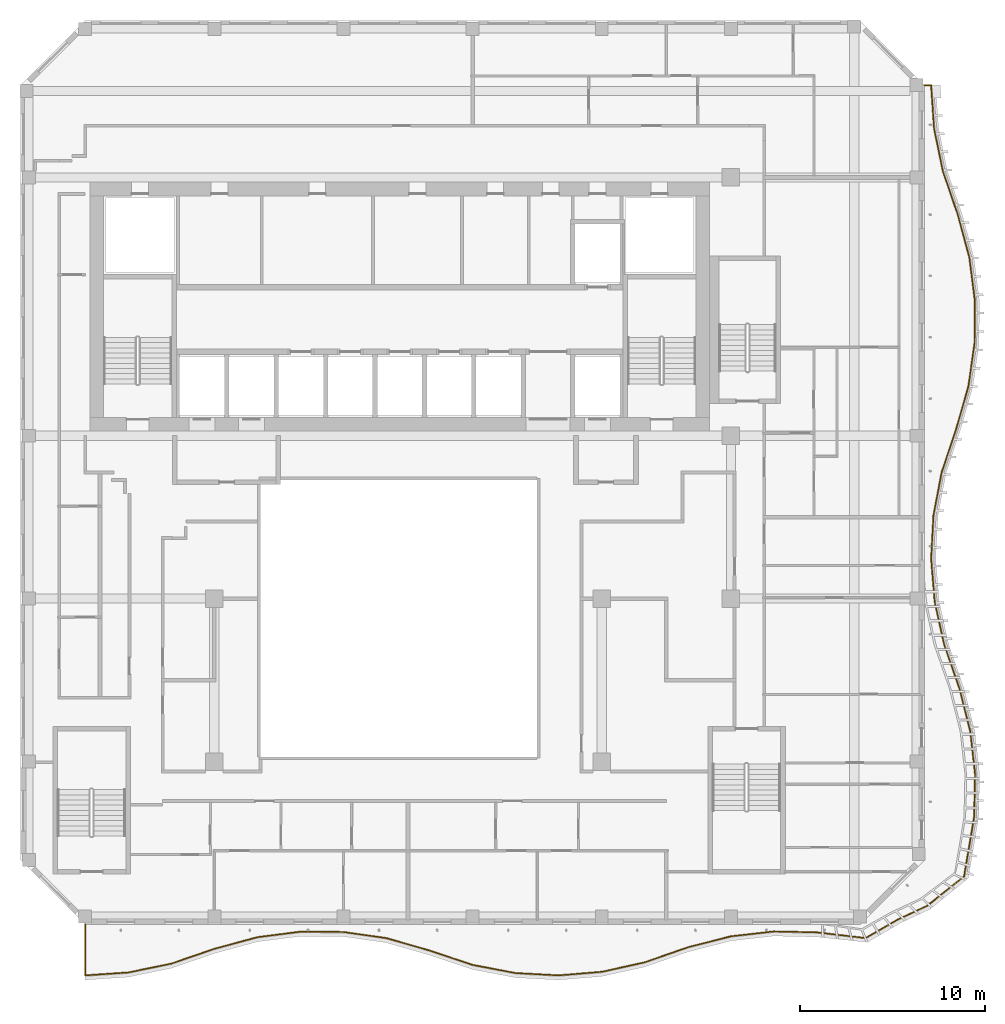
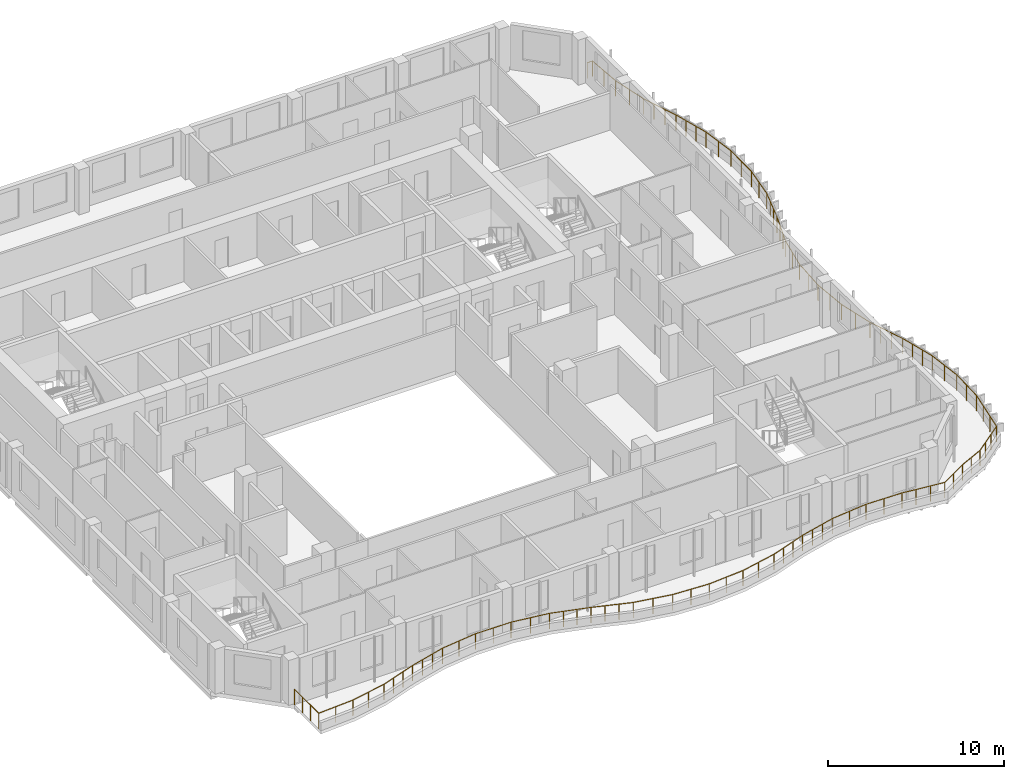
# One storey, part 15 of 19: 1 railing.
"""IFC4 building model written with IfcOpenShell, lengths in metres."""

from ifc_helpers import new_model, si_unit, direction, frame, origin, origin_2d, place, context, subcontext, project, spatial, circle, extrude, material, type_object, element, save


model = new_model("IFC4")

# Units and contexts
model_context = context("Model", 3, precision=1e-05, world=origin(), true_north=direction((0.0, 1.0)))
body_context = subcontext(model_context, "Body", "Model", "MODEL_VIEW")
ifc_project = project(units=[si_unit("LENGTHUNIT", "METRE"), si_unit("AREAUNIT", "SQUARE_METRE"), si_unit("VOLUMEUNIT", "CUBIC_METRE"), si_unit("PLANEANGLEUNIT", "RADIAN"), si_unit("MASSUNIT", "GRAM", prefix="KILO")], contexts=[model_context])

# Site, building, storey
site_placement = place(None, origin())
site = spatial("IfcSite", under=ifc_project, at=site_placement, CompositionType="ELEMENT")
building_placement = place(site_placement, origin())
building = spatial("IfcBuilding", under=site, at=building_placement, Name="Kilnfold Tower and Market Hall", CompositionType="ELEMENT")
storey_placement = place(building_placement, frame((0.0, 0.0, 252.60009765625)))
storey = spatial("IfcBuildingStorey", under=building, at=storey_placement, Name="L61", CompositionType="ELEMENT", Elevation=252.60009765625)

# Railing
ifc_material = material(Name="Stainless steel and laminated glass", Category="steel")
railing_type = type_object("IfcRailingType", Name="GUARD 1100", PredefinedType="GUARDRAIL", material=ifc_material)
railing_placement = place(storey_placement, frame((-16.0, -18.5, 0.0)))
element("IfcRailing", 1, at=railing_placement, inside=storey, type_object=railing_type, Name="Guard balcony L61", PredefinedType="GUARDRAIL", context=body_context, shape_type="SweptSolid", body=[
    extrude(circle(Radius=0.02490234375, at=origin_2d()), frame((0.0, 0.0, 1.0751953125), z_axis=(0.0, -1.0, 0.0), x_axis=(1.0, 0.0, 0.0)), (0.0, 0.0, 1.0), 2.75),
    extrude(circle(Radius=0.02490234375, at=origin_2d()), frame((0.0, -2.75, 1.0751953125), z_axis=(0.997744320473, 0.067128764054, 0.0), x_axis=(-0.067128764054, 0.997744320473, 0.0)), (0.0, 0.0, 1.0), 2.338623046875),
    extrude(circle(Radius=0.02490234375, at=origin_2d()), frame((2.333251953125, -2.593017578125, 1.0751953125), z_axis=(0.979514155194, 0.201375320669, 0.0), x_axis=(-0.201375320669, 0.979514155194, 0.0)), (0.0, 0.0, 1.0), 2.38232421875),
    extrude(circle(Radius=0.02490234375, at=origin_2d()), frame((4.666748046875, -2.11328125, 1.0751953125), z_axis=(0.945693253584, 0.325060409964, 0.0), x_axis=(-0.325060409964, 0.945693253584, 0.0)), (0.0, 0.0, 1.0), 2.46728515625),
    extrude(circle(Radius=0.02490234375, at=origin_2d()), frame((7.0, -1.311279296875, 1.0751953125), z_axis=(0.965260874363, 0.261288048758, 0.0), x_axis=(-0.261288048758, 0.965260874363, 0.0)), (0.0, 0.0, 1.0), 2.417236328125),
    extrude(circle(Radius=0.02490234375, at=origin_2d()), frame((9.333251953125, -0.6796875, 1.0751953125), z_axis=(0.991912848842, 0.126920842659, 0.0), x_axis=(-0.126920842659, 0.991912848842, 0.0)), (0.0, 0.0, 1.0), 2.3525390625),
    extrude(circle(Radius=0.02490234375, at=origin_2d()), frame((11.666748046875, -0.381103515625, 1.0751953125), z_axis=(0.999973937982, -0.007219650698, 0.0), x_axis=(0.007219650698, 0.999973937982, 0.0)), (0.0, 0.0, 1.0), 2.333251953125),
    extrude(circle(Radius=0.02490234375, at=origin_2d()), frame((14.0, -0.39794921875, 1.0751953125), z_axis=(0.989924618901, -0.141595370308, 0.0), x_axis=(0.141595370308, 0.989924618901, 0.0)), (0.0, 0.0, 1.0), 2.35693359375),
    extrude(circle(Radius=0.02490234375, at=origin_2d()), frame((16.333251953125, -0.731689453125, 1.0751953125), z_axis=(0.961227378487, -0.275757006886, 0.0), x_axis=(0.275757006886, 0.961227378487, 0.0)), (0.0, 0.0, 1.0), 2.427734375),
    extrude(circle(Radius=0.02490234375, at=origin_2d()), frame((18.666748046875, -1.401123046875, 1.0751953125), z_axis=(0.948375225103, -0.317150488587, 0.0), x_axis=(0.317150488587, 0.948375225103, 0.0)), (0.0, 0.0, 1.0), 2.460205078125),
    extrude(circle(Radius=0.02490234375, at=origin_2d()), frame((21.0, -2.181396484375, 1.0751953125), z_axis=(0.982383523607, -0.186875928212, 0.0), x_axis=(0.186875928212, 0.982383523607, 0.0)), (0.0, 0.0, 1.0), 2.375),
    extrude(circle(Radius=0.02490234375, at=origin_2d()), frame((23.333251953125, -2.625244140625, 1.0751953125), z_axis=(0.998612629354, -0.052657539778, 0.0), x_axis=(0.052657539778, 0.998612629354, 0.0)), (0.0, 0.0, 1.0), 2.336669921875),
    extrude(circle(Radius=0.02490234375, at=origin_2d()), frame((25.666748046875, -2.748291015625, 1.0751953125), z_axis=(0.996652090419, 0.081759468336, 0.0), x_axis=(-0.081759468336, 0.996652090419, 0.0)), (0.0, 0.0, 1.0), 2.341064453125),
    extrude(circle(Radius=0.02490234375, at=origin_2d()), frame((28.0, -2.556884765625, 1.0751953125), z_axis=(0.976419679672, 0.215881006921, 0.0), x_axis=(-0.215881006921, 0.976419679672, 0.0)), (0.0, 0.0, 1.0), 2.3896484375),
    extrude(circle(Radius=0.02490234375, at=origin_2d()), frame((30.333251953125, -2.041015625, 1.0751953125), z_axis=(0.944082964378, 0.329707986513, 0.0), x_axis=(-0.329707986513, 0.944082964378, 0.0)), (0.0, 0.0, 1.0), 2.4716796875),
    extrude(circle(Radius=0.02490234375, at=origin_2d()), frame((32.666748046875, -1.22607421875, 1.0751953125), z_axis=(0.969065433621, 0.246803941136, 0.0), x_axis=(-0.246803941136, 0.969065433621, 0.0)), (0.0, 0.0, 1.0), 2.40771484375),
    extrude(circle(Radius=0.02490234375, at=origin_2d()), frame((35.0, -0.6318359375, 1.0751953125), z_axis=(0.9936637082, 0.112394105741, 0.0), x_axis=(-0.112394105741, 0.9936637082, 0.0)), (0.0, 0.0, 1.0), 2.34814453125),
    extrude(circle(Radius=0.02490234375, at=origin_2d()), frame((37.333251953125, -0.367919921875, 1.0751953125), z_axis=(0.999763294472, -0.021756723713, 0.0), x_axis=(0.021756723713, 0.999763294472, 0.0)), (0.0, 0.0, 1.0), 2.333984375),
    extrude(circle(Radius=0.02490234375, at=origin_2d()), frame((39.666748046875, -0.418701171875, 1.0751953125), z_axis=(0.993209534194, -0.116339250414, 0.0), x_axis=(0.116339250414, 0.993209534194, 0.0)), (0.0, 0.0, 1.0), 2.652587890625),
    extrude(circle(Radius=0.02490234375, at=origin_2d()), frame((42.30126953125, -0.727294921875, 1.0751953125), z_axis=(0.866123210065, 0.499830556276, 0.0), x_axis=(-0.499830556276, 0.866123210065, 0.0)), (0.0, 0.0, 1.0), 2.020263671875),
    extrude(circle(Radius=0.02490234375, at=origin_2d()), frame((44.051025390625, 0.282470703125, 1.0751953125), z_axis=(0.905937791397, 0.423410814834, 0.0), x_axis=(-0.423410814834, 0.905937791397, 0.0)), (0.0, 0.0, 1.0), 1.755126953125),
    extrude(circle(Radius=0.02490234375, at=origin_2d()), frame((45.64111328125, 1.025634765625, 1.0751953125), z_axis=(0.782230054052, 0.622989680924, 0.0), x_axis=(-0.622989680924, 0.782230054052, 0.0)), (0.0, 0.0, 1.0), 2.55126953125),
    extrude(circle(Radius=0.02490234375, at=origin_2d()), frame((47.63671875, 2.614990234375, 1.0751953125), z_axis=(0.166872846644, 0.985978424233, 0.0), x_axis=(-0.985978424233, 0.166872846644, 0.0)), (0.0, 0.0, 1.0), 3.263916015625),
    extrude(circle(Radius=0.02490234375, at=origin_2d()), frame((48.181396484375, 5.833251953125, 1.0751953125), z_axis=(0.021756723713, 0.999763294472, 0.0), x_axis=(-0.999763294472, 0.021756723713, 0.0)), (0.0, 0.0, 1.0), 2.333984375),
    extrude(circle(Radius=0.02490234375, at=origin_2d()), frame((48.232177734375, 8.166748046875, 1.0751953125), z_axis=(-0.112496762863, 0.9936520912, 0.0), x_axis=(-0.9936520912, -0.112496762863, 0.0)), (0.0, 0.0, 1.0), 2.34814453125),
    extrude(circle(Radius=0.02490234375, at=origin_2d()), frame((47.968017578125, 10.5, 1.0751953125), z_axis=(-0.246708715469, 0.969089680944, 0.0), x_axis=(-0.969089680944, -0.246708715469, 0.0)), (0.0, 0.0, 1.0), 2.40771484375),
    extrude(circle(Radius=0.02490234375, at=origin_2d()), frame((47.3740234375, 12.833251953125, 1.0751953125), z_axis=(-0.329707986513, 0.944082964378, 0.0), x_axis=(-0.944082964378, -0.329707986513, 0.0)), (0.0, 0.0, 1.0), 2.4716796875),
    extrude(circle(Radius=0.02490234375, at=origin_2d()), frame((46.55908203125, 15.166748046875, 1.0751953125), z_axis=(-0.215978410209, 0.976398139246, 0.0), x_axis=(-0.976398139246, -0.215978410209, 0.0)), (0.0, 0.0, 1.0), 2.3896484375),
    extrude(circle(Radius=0.02490234375, at=origin_2d()), frame((46.04296875, 17.5, 1.0751953125), z_axis=(-0.081655879081, 0.996660582852, 0.0), x_axis=(-0.996660582852, -0.081655879081, 0.0)), (0.0, 0.0, 1.0), 2.341064453125),
    extrude(circle(Radius=0.02490234375, at=origin_2d()), frame((45.851806640625, 19.833251953125, 1.0751953125), z_axis=(0.052553349375, 0.998618117936, 0.0), x_axis=(-0.998618117936, 0.052553349375, 0.0)), (0.0, 0.0, 1.0), 2.336669921875),
    extrude(circle(Radius=0.02490234375, at=origin_2d()), frame((45.974609375, 22.166748046875, 1.0751953125), z_axis=(0.186975127626, 0.982364648005, 0.0), x_axis=(-0.982364648005, 0.186975127626, 0.0)), (0.0, 0.0, 1.0), 2.375244140625),
    extrude(circle(Radius=0.02490234375, at=origin_2d()), frame((46.418701171875, 24.5, 1.0751953125), z_axis=(0.317150488587, 0.948375225103, 0.0), x_axis=(-0.948375225103, 0.317150488587, 0.0)), (0.0, 0.0, 1.0), 2.460205078125),
    extrude(circle(Radius=0.02490234375, at=origin_2d()), frame((47.198974609375, 26.833251953125, 1.0751953125), z_axis=(0.275757006886, 0.961227378487, 0.0), x_axis=(-0.961227378487, 0.275757006886, 0.0)), (0.0, 0.0, 1.0), 2.427734375),
    extrude(circle(Radius=0.02490234375, at=origin_2d()), frame((47.868408203125, 29.166748046875, 1.0751953125), z_axis=(0.141493863694, 0.989939132743, 0.0), x_axis=(-0.989939132743, 0.141493863694, 0.0)), (0.0, 0.0, 1.0), 2.35693359375),
    extrude(circle(Radius=0.02490234375, at=origin_2d()), frame((48.201904296875, 31.5, 1.0751953125), z_axis=(0.007324277744, 0.999973177118, 0.0), x_axis=(-0.999973177118, 0.007324277744, 0.0)), (0.0, 0.0, 1.0), 2.333251953125),
    extrude(circle(Radius=0.02490234375, at=origin_2d()), frame((48.218994140625, 33.833251953125, 1.0751953125), z_axis=(-0.127022947172, 0.991899778653, 0.0), x_axis=(-0.991899778653, -0.127022947172, 0.0)), (0.0, 0.0, 1.0), 2.3525390625),
    extrude(circle(Radius=0.02490234375, at=origin_2d()), frame((47.920166015625, 36.166748046875, 1.0751953125), z_axis=(-0.261288048758, 0.965260874363, 0.0), x_axis=(-0.965260874363, -0.261288048758, 0.0)), (0.0, 0.0, 1.0), 2.417236328125),
    extrude(circle(Radius=0.02490234375, at=origin_2d()), frame((47.28857421875, 38.5, 1.0751953125), z_axis=(-0.324971908544, 0.945723669291, 0.0), x_axis=(-0.945723669291, -0.324971908544, 0.0)), (0.0, 0.0, 1.0), 2.467041015625),
    extrude(circle(Radius=0.02490234375, at=origin_2d()), frame((46.48681640625, 40.833251953125, 1.0751953125), z_axis=(-0.201375320669, 0.979514155194, 0.0), x_axis=(-0.979514155194, -0.201375320669, 0.0)), (0.0, 0.0, 1.0), 2.38232421875),
    extrude(circle(Radius=0.02490234375, at=origin_2d()), frame((46.007080078125, 43.166748046875, 1.0751953125), z_axis=(-0.067128764054, 0.997744320473, 0.0), x_axis=(-0.997744320473, -0.067128764054, 0.0)), (0.0, 0.0, 1.0), 2.338623046875),
    extrude(circle(Radius=0.02490234375, at=origin_2d()), frame((45.85009765625, 45.5, 1.0751953125), z_axis=(-1.0, 0.0, 0.0), x_axis=(0.0, -1.0, 0.0)), (0.0, 0.0, 1.0), 0.35009765625),
    extrude(circle(Radius=0.02490234375, at=origin_2d()), origin(), (0.0, 0.0, 1.0), 1.050048828125),
    extrude(circle(Radius=0.02490234375, at=origin_2d()), frame((0.0, -0.916748046875, 0.0)), (0.0, 0.0, 1.0), 1.050048828125),
    extrude(circle(Radius=0.02490234375, at=origin_2d()), frame((0.0, -1.833251953125, 0.0)), (0.0, 0.0, 1.0), 1.050048828125),
    extrude(circle(Radius=0.02490234375, at=origin_2d()), frame((0.0, -2.75, 0.0)), (0.0, 0.0, 1.0), 1.050048828125),
    extrude(circle(Radius=0.02490234375, at=origin_2d()), frame((1.16650390625, -2.67138671875, 0.0)), (0.0, 0.0, 1.0), 1.050048828125),
    extrude(circle(Radius=0.02490234375, at=origin_2d()), frame((2.333251953125, -2.593017578125, 0.0)), (0.0, 0.0, 1.0), 1.050048828125),
    extrude(circle(Radius=0.02490234375, at=origin_2d()), frame((3.5, -2.35302734375, 0.0)), (0.0, 0.0, 1.0), 1.050048828125),
    extrude(circle(Radius=0.02490234375, at=origin_2d()), frame((4.666748046875, -2.11328125, 0.0)), (0.0, 0.0, 1.0), 1.050048828125),
    extrude(circle(Radius=0.02490234375, at=origin_2d()), frame((5.444580078125, -1.845947265625, 0.0)), (0.0, 0.0, 1.0), 1.050048828125),
    extrude(circle(Radius=0.02490234375, at=origin_2d()), frame((6.22216796875, -1.57861328125, 0.0)), (0.0, 0.0, 1.0), 1.050048828125),
    extrude(circle(Radius=0.02490234375, at=origin_2d()), frame((7.0, -1.311279296875, 0.0)), (0.0, 0.0, 1.0), 1.050048828125),
    extrude(circle(Radius=0.02490234375, at=origin_2d()), frame((7.77783203125, -1.100830078125, 0.0)), (0.0, 0.0, 1.0), 1.050048828125),
    extrude(circle(Radius=0.02490234375, at=origin_2d()), frame((8.555419921875, -0.89013671875, 0.0)), (0.0, 0.0, 1.0), 1.050048828125),
    extrude(circle(Radius=0.02490234375, at=origin_2d()), frame((9.333251953125, -0.6796875, 0.0)), (0.0, 0.0, 1.0), 1.050048828125),
    extrude(circle(Radius=0.02490234375, at=origin_2d()), frame((10.5, -0.5302734375, 0.0)), (0.0, 0.0, 1.0), 1.050048828125),
    extrude(circle(Radius=0.02490234375, at=origin_2d()), frame((11.666748046875, -0.381103515625, 0.0)), (0.0, 0.0, 1.0), 1.050048828125),
    extrude(circle(Radius=0.02490234375, at=origin_2d()), frame((12.83349609375, -0.3896484375, 0.0)), (0.0, 0.0, 1.0), 1.050048828125),
    extrude(circle(Radius=0.02490234375, at=origin_2d()), frame((14.0, -0.39794921875, 0.0)), (0.0, 0.0, 1.0), 1.050048828125),
    extrude(circle(Radius=0.02490234375, at=origin_2d()), frame((15.16650390625, -0.56494140625, 0.0)), (0.0, 0.0, 1.0), 1.050048828125),
    extrude(circle(Radius=0.02490234375, at=origin_2d()), frame((16.333251953125, -0.731689453125, 0.0)), (0.0, 0.0, 1.0), 1.050048828125),
    extrude(circle(Radius=0.02490234375, at=origin_2d()), frame((17.111083984375, -0.954833984375, 0.0)), (0.0, 0.0, 1.0), 1.050048828125),
    extrude(circle(Radius=0.02490234375, at=origin_2d()), frame((17.888916015625, -1.177978515625, 0.0)), (0.0, 0.0, 1.0), 1.050048828125),
    extrude(circle(Radius=0.02490234375, at=origin_2d()), frame((18.666748046875, -1.401123046875, 0.0)), (0.0, 0.0, 1.0), 1.050048828125),
    extrude(circle(Radius=0.02490234375, at=origin_2d()), frame((19.444580078125, -1.6611328125, 0.0)), (0.0, 0.0, 1.0), 1.050048828125),
    extrude(circle(Radius=0.02490234375, at=origin_2d()), frame((20.22216796875, -1.92138671875, 0.0)), (0.0, 0.0, 1.0), 1.050048828125),
    extrude(circle(Radius=0.02490234375, at=origin_2d()), frame((21.0, -2.181396484375, 0.0)), (0.0, 0.0, 1.0), 1.050048828125),
    extrude(circle(Radius=0.02490234375, at=origin_2d()), frame((22.16650390625, -2.4033203125, 0.0)), (0.0, 0.0, 1.0), 1.050048828125),
    extrude(circle(Radius=0.02490234375, at=origin_2d()), frame((23.333251953125, -2.625244140625, 0.0)), (0.0, 0.0, 1.0), 1.050048828125),
    extrude(circle(Radius=0.02490234375, at=origin_2d()), frame((24.5, -2.686767578125, 0.0)), (0.0, 0.0, 1.0), 1.050048828125),
    extrude(circle(Radius=0.02490234375, at=origin_2d()), frame((25.666748046875, -2.748291015625, 0.0)), (0.0, 0.0, 1.0), 1.050048828125),
    extrude(circle(Radius=0.02490234375, at=origin_2d()), frame((26.83349609375, -2.652587890625, 0.0)), (0.0, 0.0, 1.0), 1.050048828125),
    extrude(circle(Radius=0.02490234375, at=origin_2d()), frame((28.0, -2.556884765625, 0.0)), (0.0, 0.0, 1.0), 1.050048828125),
    extrude(circle(Radius=0.02490234375, at=origin_2d()), frame((29.16650390625, -2.298828125, 0.0)), (0.0, 0.0, 1.0), 1.050048828125),
    extrude(circle(Radius=0.02490234375, at=origin_2d()), frame((30.333251953125, -2.041015625, 0.0)), (0.0, 0.0, 1.0), 1.050048828125),
    extrude(circle(Radius=0.02490234375, at=origin_2d()), frame((31.111083984375, -1.769287109375, 0.0)), (0.0, 0.0, 1.0), 1.050048828125),
    extrude(circle(Radius=0.02490234375, at=origin_2d()), frame((31.888916015625, -1.497802734375, 0.0)), (0.0, 0.0, 1.0), 1.050048828125),
    extrude(circle(Radius=0.02490234375, at=origin_2d()), frame((32.666748046875, -1.22607421875, 0.0)), (0.0, 0.0, 1.0), 1.050048828125),
    extrude(circle(Radius=0.02490234375, at=origin_2d()), frame((33.444580078125, -1.028076171875, 0.0)), (0.0, 0.0, 1.0), 1.050048828125),
    extrude(circle(Radius=0.02490234375, at=origin_2d()), frame((34.22216796875, -0.829833984375, 0.0)), (0.0, 0.0, 1.0), 1.050048828125),
    extrude(circle(Radius=0.02490234375, at=origin_2d()), frame((35.0, -0.6318359375, 0.0)), (0.0, 0.0, 1.0), 1.050048828125),
    extrude(circle(Radius=0.02490234375, at=origin_2d()), frame((36.16650390625, -0.5, 0.0)), (0.0, 0.0, 1.0), 1.050048828125),
    extrude(circle(Radius=0.02490234375, at=origin_2d()), frame((37.333251953125, -0.367919921875, 0.0)), (0.0, 0.0, 1.0), 1.050048828125),
    extrude(circle(Radius=0.02490234375, at=origin_2d()), frame((38.5, -0.393310546875, 0.0)), (0.0, 0.0, 1.0), 1.050048828125),
    extrude(circle(Radius=0.02490234375, at=origin_2d()), frame((39.666748046875, -0.418701171875, 0.0)), (0.0, 0.0, 1.0), 1.050048828125),
    extrude(circle(Radius=0.02490234375, at=origin_2d()), frame((40.544921875, -0.521484375, 0.0)), (0.0, 0.0, 1.0), 1.050048828125),
    extrude(circle(Radius=0.02490234375, at=origin_2d()), frame((41.423095703125, -0.62451171875, 0.0)), (0.0, 0.0, 1.0), 1.050048828125),
    extrude(circle(Radius=0.02490234375, at=origin_2d()), frame((42.30126953125, -0.727294921875, 0.0)), (0.0, 0.0, 1.0), 1.050048828125),
    extrude(circle(Radius=0.02490234375, at=origin_2d()), frame((43.17626953125, -0.222412109375, 0.0)), (0.0, 0.0, 1.0), 1.050048828125),
    extrude(circle(Radius=0.02490234375, at=origin_2d()), frame((44.051025390625, 0.282470703125, 0.0)), (0.0, 0.0, 1.0), 1.050048828125),
    extrude(circle(Radius=0.02490234375, at=origin_2d()), frame((44.84619140625, 0.654052734375, 0.0)), (0.0, 0.0, 1.0), 1.050048828125),
    extrude(circle(Radius=0.02490234375, at=origin_2d()), frame((45.64111328125, 1.025634765625, 0.0)), (0.0, 0.0, 1.0), 1.050048828125),
    extrude(circle(Radius=0.02490234375, at=origin_2d()), frame((46.306396484375, 1.555419921875, 0.0)), (0.0, 0.0, 1.0), 1.050048828125),
    extrude(circle(Radius=0.02490234375, at=origin_2d()), frame((46.971435546875, 2.085205078125, 0.0)), (0.0, 0.0, 1.0), 1.050048828125),
    extrude(circle(Radius=0.02490234375, at=origin_2d()), frame((47.63671875, 2.614990234375, 0.0)), (0.0, 0.0, 1.0), 1.050048828125),
    extrude(circle(Radius=0.02490234375, at=origin_2d()), frame((47.818359375, 3.687744140625, 0.0)), (0.0, 0.0, 1.0), 1.050048828125),
    extrude(circle(Radius=0.02490234375, at=origin_2d()), frame((47.999755859375, 4.760498046875, 0.0)), (0.0, 0.0, 1.0), 1.050048828125),
    extrude(circle(Radius=0.02490234375, at=origin_2d()), frame((48.181396484375, 5.833251953125, 0.0)), (0.0, 0.0, 1.0), 1.050048828125),
    extrude(circle(Radius=0.02490234375, at=origin_2d()), frame((48.206787109375, 7.0, 0.0)), (0.0, 0.0, 1.0), 1.050048828125),
    extrude(circle(Radius=0.02490234375, at=origin_2d()), frame((48.232177734375, 8.166748046875, 0.0)), (0.0, 0.0, 1.0), 1.050048828125),
    extrude(circle(Radius=0.02490234375, at=origin_2d()), frame((48.10009765625, 9.33349609375, 0.0)), (0.0, 0.0, 1.0), 1.050048828125),
    extrude(circle(Radius=0.02490234375, at=origin_2d()), frame((47.968017578125, 10.5, 0.0)), (0.0, 0.0, 1.0), 1.050048828125),
    extrude(circle(Radius=0.02490234375, at=origin_2d()), frame((47.77001953125, 11.27783203125, 0.0)), (0.0, 0.0, 1.0), 1.050048828125),
    extrude(circle(Radius=0.02490234375, at=origin_2d()), frame((47.572021484375, 12.055419921875, 0.0)), (0.0, 0.0, 1.0), 1.050048828125),
    extrude(circle(Radius=0.02490234375, at=origin_2d()), frame((47.3740234375, 12.833251953125, 0.0)), (0.0, 0.0, 1.0), 1.050048828125),
    extrude(circle(Radius=0.02490234375, at=origin_2d()), frame((47.102294921875, 13.611083984375, 0.0)), (0.0, 0.0, 1.0), 1.050048828125),
    extrude(circle(Radius=0.02490234375, at=origin_2d()), frame((46.830810546875, 14.388916015625, 0.0)), (0.0, 0.0, 1.0), 1.050048828125),
    extrude(circle(Radius=0.02490234375, at=origin_2d()), frame((46.55908203125, 15.166748046875, 0.0)), (0.0, 0.0, 1.0), 1.050048828125),
    extrude(circle(Radius=0.02490234375, at=origin_2d()), frame((46.301025390625, 16.33349609375, 0.0)), (0.0, 0.0, 1.0), 1.050048828125),
    extrude(circle(Radius=0.02490234375, at=origin_2d()), frame((46.04296875, 17.5, 0.0)), (0.0, 0.0, 1.0), 1.050048828125),
    extrude(circle(Radius=0.02490234375, at=origin_2d()), frame((45.947265625, 18.66650390625, 0.0)), (0.0, 0.0, 1.0), 1.050048828125),
    extrude(circle(Radius=0.02490234375, at=origin_2d()), frame((45.851806640625, 19.833251953125, 0.0)), (0.0, 0.0, 1.0), 1.050048828125),
    extrude(circle(Radius=0.02490234375, at=origin_2d()), frame((45.9130859375, 21.0, 0.0)), (0.0, 0.0, 1.0), 1.050048828125),
    extrude(circle(Radius=0.02490234375, at=origin_2d()), frame((45.974609375, 22.166748046875, 0.0)), (0.0, 0.0, 1.0), 1.050048828125),
    extrude(circle(Radius=0.02490234375, at=origin_2d()), frame((46.19677734375, 23.33349609375, 0.0)), (0.0, 0.0, 1.0), 1.050048828125),
    extrude(circle(Radius=0.02490234375, at=origin_2d()), frame((46.418701171875, 24.5, 0.0)), (0.0, 0.0, 1.0), 1.050048828125),
    extrude(circle(Radius=0.02490234375, at=origin_2d()), frame((46.6787109375, 25.27783203125, 0.0)), (0.0, 0.0, 1.0), 1.050048828125),
    extrude(circle(Radius=0.02490234375, at=origin_2d()), frame((46.93896484375, 26.055419921875, 0.0)), (0.0, 0.0, 1.0), 1.050048828125),
    extrude(circle(Radius=0.02490234375, at=origin_2d()), frame((47.198974609375, 26.833251953125, 0.0)), (0.0, 0.0, 1.0), 1.050048828125),
    extrude(circle(Radius=0.02490234375, at=origin_2d()), frame((47.422119140625, 27.611083984375, 0.0)), (0.0, 0.0, 1.0), 1.050048828125),
    extrude(circle(Radius=0.02490234375, at=origin_2d()), frame((47.645263671875, 28.388916015625, 0.0)), (0.0, 0.0, 1.0), 1.050048828125),
    extrude(circle(Radius=0.02490234375, at=origin_2d()), frame((47.868408203125, 29.166748046875, 0.0)), (0.0, 0.0, 1.0), 1.050048828125),
    extrude(circle(Radius=0.02490234375, at=origin_2d()), frame((48.03515625, 30.33349609375, 0.0)), (0.0, 0.0, 1.0), 1.050048828125),
    extrude(circle(Radius=0.02490234375, at=origin_2d()), frame((48.201904296875, 31.5, 0.0)), (0.0, 0.0, 1.0), 1.050048828125),
    extrude(circle(Radius=0.02490234375, at=origin_2d()), frame((48.21044921875, 32.66650390625, 0.0)), (0.0, 0.0, 1.0), 1.050048828125),
    extrude(circle(Radius=0.02490234375, at=origin_2d()), frame((48.218994140625, 33.833251953125, 0.0)), (0.0, 0.0, 1.0), 1.050048828125),
    extrude(circle(Radius=0.02490234375, at=origin_2d()), frame((48.069580078125, 35.0, 0.0)), (0.0, 0.0, 1.0), 1.050048828125),
    extrude(circle(Radius=0.02490234375, at=origin_2d()), frame((47.920166015625, 36.166748046875, 0.0)), (0.0, 0.0, 1.0), 1.050048828125),
    extrude(circle(Radius=0.02490234375, at=origin_2d()), frame((47.709716796875, 36.944580078125, 0.0)), (0.0, 0.0, 1.0), 1.050048828125),
    extrude(circle(Radius=0.02490234375, at=origin_2d()), frame((47.4990234375, 37.72216796875, 0.0)), (0.0, 0.0, 1.0), 1.050048828125),
    extrude(circle(Radius=0.02490234375, at=origin_2d()), frame((47.28857421875, 38.5, 0.0)), (0.0, 0.0, 1.0), 1.050048828125),
    extrude(circle(Radius=0.02490234375, at=origin_2d()), frame((47.021240234375, 39.27783203125, 0.0)), (0.0, 0.0, 1.0), 1.050048828125),
    extrude(circle(Radius=0.02490234375, at=origin_2d()), frame((46.754150390625, 40.055419921875, 0.0)), (0.0, 0.0, 1.0), 1.050048828125),
    extrude(circle(Radius=0.02490234375, at=origin_2d()), frame((46.48681640625, 40.833251953125, 0.0)), (0.0, 0.0, 1.0), 1.050048828125),
    extrude(circle(Radius=0.02490234375, at=origin_2d()), frame((46.2470703125, 42.0, 0.0)), (0.0, 0.0, 1.0), 1.050048828125),
    extrude(circle(Radius=0.02490234375, at=origin_2d()), frame((46.007080078125, 43.166748046875, 0.0)), (0.0, 0.0, 1.0), 1.050048828125),
    extrude(circle(Radius=0.02490234375, at=origin_2d()), frame((45.9287109375, 44.33349609375, 0.0)), (0.0, 0.0, 1.0), 1.050048828125),
    extrude(circle(Radius=0.02490234375, at=origin_2d()), frame((45.85009765625, 45.5, 0.0)), (0.0, 0.0, 1.0), 1.050048828125),
    extrude(circle(Radius=0.02490234375, at=origin_2d()), frame((45.5, 45.5, 0.0)), (0.0, 0.0, 1.0), 1.050048828125),
])

save(model, "model.ifc")
